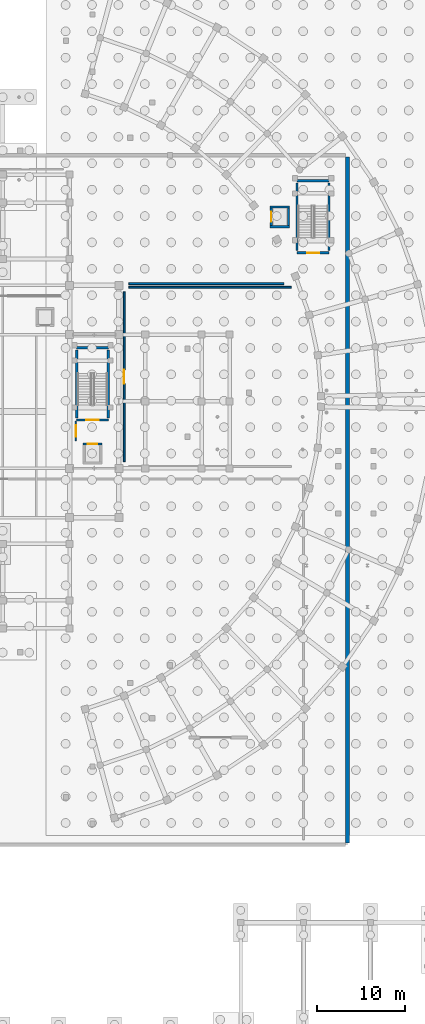
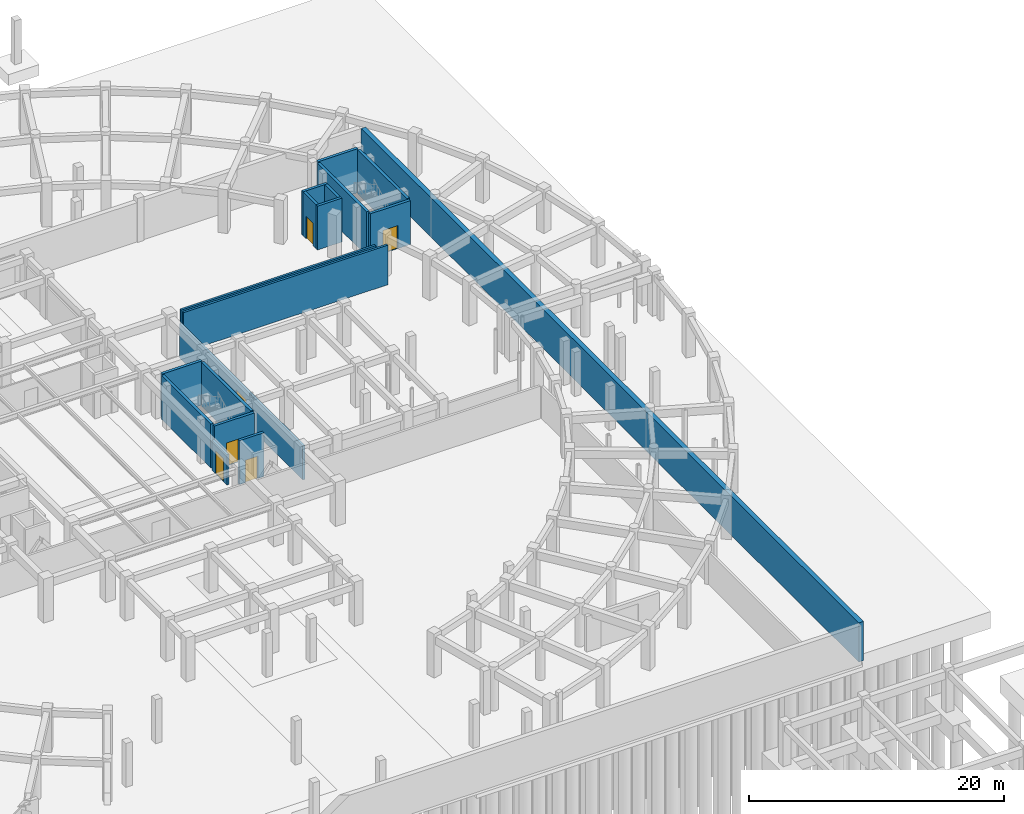
# One storey, part 27 of 33: 18 walls, 6 doors, 6 openings.
"""IFC4 building model written with IfcOpenShell, lengths in metres."""

from ifc_helpers import new_model, si_unit, direction, frame, frame_2d, origin, place, context, subcontext, project, spatial, rectangle, extrude, material, layer, layer_set, type_object, element, fill, save


model = new_model("IFC4")

# Units and contexts
model_context = context("Model", 3, precision=1e-05, world=origin(), true_north=direction((0.0, 1.0)))
body_context = subcontext(model_context, "Body", "Model", "MODEL_VIEW")
ifc_project = project(units=[si_unit("LENGTHUNIT", "METRE"), si_unit("AREAUNIT", "SQUARE_METRE"), si_unit("VOLUMEUNIT", "CUBIC_METRE"), si_unit("PLANEANGLEUNIT", "RADIAN"), si_unit("MASSUNIT", "GRAM", prefix="KILO")], contexts=[model_context])

# Site, building, storey
site_placement = place(None, origin())
site = spatial("IfcSite", under=ifc_project, at=site_placement, CompositionType="ELEMENT")
building_placement = place(site_placement, origin())
building = spatial("IfcBuilding", under=site, at=building_placement, Name="Saryqyr Civic Hall", CompositionType="ELEMENT")
storey_placement = place(building_placement, frame((0.0, 0.0, -4.199951171875)))
storey = spatial("IfcBuildingStorey", under=building, at=storey_placement, Name="B1", CompositionType="ELEMENT", Elevation=-4.199951171875)

# Wall
ifc_material_1 = material(Name="Concrete C35/45", Category="concrete")
ifc_layer_1 = layer(ifc_material_1, 0.419921875, Name="Concrete C35/45")
ifc_layer_set_1 = layer_set([ifc_layer_1], Name="Concrete C35/45")
wall_type_1 = type_object("IfcWallType", Name="ENV-WAL-RET-420", PredefinedType="USERDEFINED", material=ifc_layer_set_1)
wall_1_placement = place(storey_placement, frame((96.199951171875, 111.780029296875, 0.0), z_axis=(0.0, 0.0, 1.0), x_axis=(0.0, -1.0, 0.0)))
element("IfcWall", 1, at=wall_1_placement, inside=storey, type_object=wall_type_1, Name="Basement perimeter retaining wall 2", ObjectType="RETAINING", PredefinedType="USERDEFINED", context=body_context, shape_type="SweptSolid", body=[
    extrude(rectangle(XDim=77.9599609375, YDim=0.419921875, at=frame_2d((38.97998046875, 0.0))), origin(), (0.0, 0.0, 1.0), 3.75),
])

# Wall, opening, door
ifc_material_2 = material(Name="Autoclaved aerated concrete blockwork", Category="masonry")
ifc_layer_2 = layer(ifc_material_2, 0.199951171875, Name="Autoclaved aerated concrete blockwork")
ifc_layer_set_2 = layer_set([ifc_layer_2], Name="Autoclaved aerated concrete blockwork")
wall_type_2 = type_object("IfcWallType", Name="INT-WAL-FIR-200", PredefinedType="PARTITIONING", material=ifc_layer_set_2)
wall_2_placement = place(storey_placement, frame((65.300048828125, 79.5, 0.0), z_axis=(0.0, 0.0, 1.0), x_axis=(0.0, 1.0, 0.0)))
wall_2 = element("IfcWall", 2, at=wall_2_placement, inside=storey, type_object=wall_type_2, Name="Firefighting lift lobby enclosure wall LF-02 B1", PredefinedType="PARTITIONING", context=body_context, shape_type="SweptSolid", body=[
    extrude(rectangle(XDim=2.300048828125, YDim=0.199951171875, at=frame_2d((1.14990234375, 0.0))), origin(), (0.0, 0.0, 1.0), 2.89990234375),
])
opening_1_placement = place(wall_2_placement, frame((0.5, 0.0, 0.0)))
opening_1 = element("IfcOpeningElement", 3, at=opening_1_placement, cuts=wall_2, Name="Opening FD-01", PredefinedType="OPENING", context=body_context, shape_type="SweptSolid", body=[
    extrude(rectangle(XDim=1.300048828125, YDim=2.199951171875, at=frame_2d((0.64990234375, 1.10009765625))), frame((0.0, 0.10986328125, 0.0), z_axis=(0.0, -1.0, 0.0), x_axis=(1.0, 0.0, 0.0)), (0.0, 0.0, 1.0), 0.219970703125),
])
ifc_material_3 = material(Name="Painted galvanized steel", Category="steel")
door_type_1 = type_object("IfcDoorType", Name="INT-DR-FFLOB-1300x2200", OperationType="NOTDEFINED", PredefinedType="DOOR", material=ifc_material_3)
door_1_placement = place(opening_1_placement, origin())
door_1 = element("IfcDoor", 4, at=door_1_placement, inside=storey, type_object=door_type_1, Name="Firefighting lift lobby smoke-control door LF-02 B1", OperationType="SINGLE_SWING_RIGHT", OverallHeight=2.199951171875, OverallWidth=1.300048828125, PredefinedType="DOOR", context=body_context, shape_type="SweptSolid", body=[
    extrude(rectangle(XDim=1.300048828125, YDim=2.199951171875, at=frame_2d((0.64990234375, 1.10009765625))), frame((0.0, 0.02490234375, 0.0), z_axis=(0.0, -1.0, 0.0), x_axis=(1.0, 0.0, 0.0)), (0.0, 0.0, 1.0), 0.050048828125),
])
fill(opening_1, door_1)

wall_3_placement = place(storey_placement, frame((70.800048828125, 77.14990234375, 0.0), z_axis=(0.0, 0.0, 1.0), x_axis=(0.0, 1.0, 0.0)))
wall_3 = element("IfcWall", 5, at=wall_3_placement, inside=storey, type_object=wall_type_2, Name="Interior partition PRT-SP-B1-PLANT-DHS-W1", PredefinedType="PARTITIONING", context=body_context, shape_type="SweptSolid", body=[
    extrude(rectangle(XDim=19.300048828125, YDim=0.199951171875, at=frame_2d((9.64990234375, 0.0))), origin(), (0.0, 0.0, 1.0), 3.2548828125),
])
opening_2_placement = place(wall_3_placement, frame((8.85009765625, 0.0, 0.0)))
opening_2 = element("IfcOpeningElement", 6, at=opening_2_placement, cuts=wall_3, Name="Opening FD-02", PredefinedType="OPENING", context=body_context, shape_type="SweptSolid", body=[
    extrude(rectangle(XDim=1.60009765625, YDim=2.300048828125, at=frame_2d((0.800048828125, 1.14990234375))), frame((0.0, 0.10986328125, 0.0), z_axis=(0.0, -1.0, 0.0), x_axis=(1.0, 0.0, 0.0)), (0.0, 0.0, 1.0), 0.219970703125),
])
door_type_2 = type_object("IfcDoorType", Name="INT-DR-PLANT-1600x2300", OperationType="NOTDEFINED", PredefinedType="DOOR", material=ifc_material_3)
door_2_placement = place(opening_2_placement, origin())
door_2 = element("IfcDoor", 7, at=door_2_placement, inside=storey, type_object=door_type_2, Name="Interior door District Heating Substation and Chiller Plant", OperationType="DOUBLE_DOOR_SINGLE_SWING", OverallHeight=2.300048828125, OverallWidth=1.60009765625, PredefinedType="DOOR", context=body_context, shape_type="SweptSolid", body=[
    extrude(rectangle(XDim=1.60009765625, YDim=2.300048828125, at=frame_2d((0.800048828125, 1.14990234375))), frame((0.0, 0.02490234375, 0.0), z_axis=(0.0, -1.0, 0.0), x_axis=(1.0, 0.0, 0.0)), (0.0, 0.0, 1.0), 0.050048828125),
])
fill(opening_2, door_2)

# Walls
wall_4_placement = place(storey_placement, frame((71.35009765625, 97.0, 0.0), z_axis=(0.0, 0.0, 1.0), x_axis=(1.0, 0.0, 0.0)))
element("IfcWall", 8, at=wall_4_placement, inside=storey, type_object=wall_type_2, Name="Interior partition PRT-SP-B1-PLANT-DHS-W3", PredefinedType="PARTITIONING", context=body_context, shape_type="SweptSolid", body=[
    extrude(rectangle(XDim=18.469970703125, YDim=0.199951171875, at=frame_2d((9.23486328125, 0.0))), origin(), (0.0, 0.0, 1.0), 3.7900390625),
])
wall_5_placement = place(storey_placement, frame((88.949951171875, 97.39990234375, 0.0), z_axis=(0.0, 0.0, 1.0), x_axis=(-1.0, 0.0, 0.0)))
element("IfcWall", 9, at=wall_5_placement, inside=storey, type_object=wall_type_2, Name="Interior partition PRT-SP-B1-PLANT-SUB-W1", PredefinedType="PARTITIONING", context=body_context, shape_type="SweptSolid", body=[
    extrude(rectangle(XDim=17.599853515625, YDim=0.199951171875, at=frame_2d((8.7998046875, 0.0))), origin(), (0.0, 0.0, 1.0), 3.7900390625),
])

# Wall, opening, door
ifc_material_4 = material(Name="Concrete C40/50", Category="concrete")
ifc_layer_3 = layer(ifc_material_4, 0.239990234375, Name="Concrete C40/50")
ifc_layer_set_3 = layer_set([ifc_layer_3], Name="Concrete C40/50")
wall_type_3 = type_object("IfcWallType", Name="INT-WAL-SHR-240", PredefinedType="SHEAR", material=ifc_layer_set_3)
wall_6_placement = place(storey_placement, frame((66.10009765625, 79.179931640625, 0.0), z_axis=(0.0, 0.0, 1.0), x_axis=(1.0, 0.0, 0.0)))
wall_6 = element("IfcWall", 10, at=wall_6_placement, inside=storey, type_object=wall_type_3, Name="Lift shaft shear wall LF-02-SHW-N-B1", PredefinedType="SHEAR", context=body_context, shape_type="SweptSolid", body=[
    extrude(rectangle(XDim=2.199951171875, YDim=0.239990234375, at=frame_2d((1.10009765625, 0.0))), origin(), (0.0, 0.0, 1.0), 4.199951171875),
])
opening_3_placement = place(wall_6_placement, frame((0.550048828125, 0.0, 0.0)))
opening_3 = element("IfcOpeningElement", 11, at=opening_3_placement, cuts=wall_6, Name="Opening LD-01", PredefinedType="OPENING", context=body_context, shape_type="SweptSolid", body=[
    extrude(rectangle(XDim=1.10009765625, YDim=2.14990234375, at=frame_2d((0.550048828125, 1.074951171875))), frame((0.0, 0.1298828125, 0.0), z_axis=(0.0, -1.0, 0.0), x_axis=(1.0, 0.0, 0.0)), (0.0, 0.0, 1.0), 0.260009765625),
])
ifc_material_5 = material(Name="Brushed stainless steel", Category="steel")
door_type_3 = type_object("IfcDoorType", Name="INT-DR-LD-1100x2150", OperationType="NOTDEFINED", PredefinedType="DOOR", material=ifc_material_5)
door_3_placement = place(opening_3_placement, origin())
door_3 = element("IfcDoor", 12, at=door_3_placement, inside=storey, type_object=door_type_3, Name="Lift sliding landing door LF-02 B1", OperationType="SLIDING_TO_RIGHT", OverallHeight=2.14990234375, OverallWidth=1.10009765625, PredefinedType="DOOR", context=body_context, shape_type="SweptSolid", body=[
    extrude(rectangle(XDim=1.10009765625, YDim=2.14990234375, at=frame_2d((0.550048828125, 1.074951171875))), frame((0.0, 0.02490234375, 0.0), z_axis=(0.0, -1.0, 0.0), x_axis=(1.0, 0.0, 0.0)), (0.0, 0.0, 1.0), 0.050048828125),
])
fill(opening_3, door_3)

# Walls
wall_7_placement = place(storey_placement, frame((89.60009765625, 103.8701171875, 0.0), z_axis=(0.0, 0.0, 1.0), x_axis=(-1.0, 0.0, 0.0)))
element("IfcWall", 13, at=wall_7_placement, inside=storey, type_object=wall_type_3, Name="Lift shaft shear wall LF-08-SHW-S-B1", PredefinedType="SHEAR", context=body_context, shape_type="SweptSolid", body=[
    extrude(rectangle(XDim=2.2001953125, YDim=0.239990234375, at=frame_2d((1.10009765625, 0.0))), origin(), (0.0, 0.0, 1.0), 4.199951171875),
])
wall_8_placement = place(storey_placement, frame((89.47998046875, 106.010009765625, 0.0), z_axis=(0.0, 0.0, 1.0), x_axis=(0.0, -1.0, 0.0)))
element("IfcWall", 14, at=wall_8_placement, inside=storey, type_object=wall_type_3, Name="Lift shaft shear wall LF-08-SHW-E-B1", PredefinedType="SHEAR", context=body_context, shape_type="SweptSolid", body=[
    extrude(rectangle(XDim=2.02001953125, YDim=0.239990234375, at=frame_2d((1.010009765625, 0.0))), origin(), (0.0, 0.0, 1.0), 4.199951171875),
])
wall_9_placement = place(storey_placement, frame((87.39990234375, 106.1298828125, 0.0), z_axis=(0.0, 0.0, 1.0), x_axis=(1.0, 0.0, 0.0)))
element("IfcWall", 15, at=wall_9_placement, inside=storey, type_object=wall_type_3, Name="Lift shaft shear wall LF-08-SHW-N-B1", PredefinedType="SHEAR", context=body_context, shape_type="SweptSolid", body=[
    extrude(rectangle(XDim=2.2001953125, YDim=0.239990234375, at=frame_2d((1.10009765625, 0.0))), origin(), (0.0, 0.0, 1.0), 4.199951171875),
])

# Wall, opening, door
wall_10_placement = place(storey_placement, frame((87.52001953125, 103.989990234375, 0.0), z_axis=(0.0, 0.0, 1.0), x_axis=(0.0, 1.0, 0.0)))
wall_10 = element("IfcWall", 16, at=wall_10_placement, inside=storey, type_object=wall_type_3, Name="Lift shaft shear wall LF-08-SHW-W-B1", PredefinedType="SHEAR", context=body_context, shape_type="SweptSolid", body=[
    extrude(rectangle(XDim=2.02001953125, YDim=0.239990234375, at=frame_2d((1.010009765625, 0.0))), origin(), (0.0, 0.0, 1.0), 4.199951171875),
])
opening_4_placement = place(wall_10_placement, frame((0.4599609375, 0.0, 0.0)))
opening_4 = element("IfcOpeningElement", 17, at=opening_4_placement, cuts=wall_10, Name="Opening LD-01", PredefinedType="OPENING", context=body_context, shape_type="SweptSolid", body=[
    extrude(rectangle(XDim=1.10009765625, YDim=2.14990234375, at=frame_2d((0.550048828125, 1.074951171875))), frame((0.0, 0.1298828125, 0.0), z_axis=(0.0, -1.0, 0.0), x_axis=(1.0, 0.0, 0.0)), (0.0, 0.0, 1.0), 0.260009765625),
])
door_4_placement = place(opening_4_placement, origin())
door_4 = element("IfcDoor", 18, at=door_4_placement, inside=storey, type_object=door_type_3, Name="Lift sliding landing door LF-08 B1", OperationType="SLIDING_TO_RIGHT", OverallHeight=2.14990234375, OverallWidth=1.10009765625, PredefinedType="DOOR", context=body_context, shape_type="SweptSolid", body=[
    extrude(rectangle(XDim=1.10009765625, YDim=2.14990234375, at=frame_2d((0.550048828125, 1.074951171875))), frame((0.0, 0.02490234375, 0.0), z_axis=(0.0, -1.0, 0.0), x_axis=(1.0, 0.0, 0.0)), (0.0, 0.0, 1.0), 0.050048828125),
])
fill(opening_4, door_4)

ifc_layer_4 = layer(ifc_material_4, 0.25, Name="Concrete C40/50")
ifc_layer_set_4 = layer_set([ifc_layer_4], Name="Concrete C40/50")
wall_type_4 = type_object("IfcWallType", Name="INT-WAL-SHR-250", PredefinedType="SHEAR", material=ifc_layer_set_4)
wall_11_placement = place(storey_placement, frame((69.0, 81.89990234375, 0.0), z_axis=(0.0, 0.0, 1.0), x_axis=(-1.0, 0.0, 0.0)))
wall_11 = element("IfcWall", 19, at=wall_11_placement, inside=storey, type_object=wall_type_4, Name="Protected stair shaft wall ST-2-SW1-B1", PredefinedType="SHEAR", context=body_context, shape_type="SweptSolid", body=[
    extrude(rectangle(XDim=3.60009765625, YDim=0.25, at=frame_2d((1.800048828125, 0.0))), origin(), (0.0, 0.0, 1.0), 4.199951171875),
])
opening_5_placement = place(wall_11_placement, frame((1.074951171875, 0.0, 0.0)))
opening_5 = element("IfcOpeningElement", 20, at=opening_5_placement, cuts=wall_11, Name="Opening SD-02", PredefinedType="OPENING", context=body_context, shape_type="SweptSolid", body=[
    extrude(rectangle(XDim=1.449951171875, YDim=2.199951171875, at=frame_2d((0.72509765625, 1.10009765625))), frame((0.0, 0.135009765625, 0.0), z_axis=(0.0, -1.0, 0.0), x_axis=(1.0, 0.0, 0.0)), (0.0, 0.0, 1.0), 0.27001953125),
])
door_type_4 = type_object("IfcDoorType", Name="INT-DR-STAIR-1450x2200", OperationType="NOTDEFINED", PredefinedType="DOOR", material=ifc_material_3)
door_5_placement = place(opening_5_placement, origin())
door_5 = element("IfcDoor", 21, at=door_5_placement, inside=storey, type_object=door_type_4, Name="Exit stair landing fire door ST-2-B1", OperationType="SINGLE_SWING_RIGHT", OverallHeight=2.199951171875, OverallWidth=1.449951171875, PredefinedType="DOOR", context=body_context, shape_type="SweptSolid", body=[
    extrude(rectangle(XDim=1.449951171875, YDim=2.199951171875, at=frame_2d((0.72509765625, 1.10009765625))), frame((0.0, 0.02490234375, 0.0), z_axis=(0.0, -1.0, 0.0), x_axis=(1.0, 0.0, 0.0)), (0.0, 0.0, 1.0), 0.050048828125),
])
fill(opening_5, door_5)

# Walls
wall_12_placement = place(storey_placement, frame((65.39990234375, 82.14990234375, 0.0), z_axis=(0.0, 0.0, 1.0), x_axis=(0.0, 1.0, 0.0)))
element("IfcWall", 22, at=wall_12_placement, inside=storey, type_object=wall_type_4, Name="Protected stair shaft wall ST-2-SW2-B1", PredefinedType="SHEAR", context=body_context, shape_type="SweptSolid", body=[
    extrude(rectangle(XDim=7.7001953125, YDim=0.25, at=frame_2d((3.85009765625, 0.0))), origin(), (0.0, 0.0, 1.0), 4.199951171875),
])
wall_13_placement = place(storey_placement, frame((65.39990234375, 90.10009765625, 0.0), z_axis=(0.0, 0.0, 1.0), x_axis=(1.0, 0.0, 0.0)))
element("IfcWall", 23, at=wall_13_placement, inside=storey, type_object=wall_type_4, Name="Protected stair shaft wall ST-2-SW3-B1", PredefinedType="SHEAR", context=body_context, shape_type="SweptSolid", body=[
    extrude(rectangle(XDim=3.60009765625, YDim=0.25, at=frame_2d((1.800048828125, 0.0))), origin(), (0.0, 0.0, 1.0), 4.199951171875),
])
wall_14_placement = place(storey_placement, frame((69.0, 89.85009765625, 0.0), z_axis=(0.0, 0.0, 1.0), x_axis=(0.0, -1.0, 0.0)))
element("IfcWall", 24, at=wall_14_placement, inside=storey, type_object=wall_type_4, Name="Protected stair shaft wall ST-2-SW4-B1", PredefinedType="SHEAR", context=body_context, shape_type="SweptSolid", body=[
    extrude(rectangle(XDim=7.7001953125, YDim=0.25, at=frame_2d((3.85009765625, 0.0))), origin(), (0.0, 0.0, 1.0), 4.199951171875),
])

# Wall, opening, door
wall_15_placement = place(storey_placement, frame((94.10009765625, 100.89990234375, 0.0), z_axis=(0.0, 0.0, 1.0), x_axis=(-1.0, 0.0, 0.0)))
wall_15 = element("IfcWall", 25, at=wall_15_placement, inside=storey, type_object=wall_type_4, Name="Protected stair shaft wall ST-6-SW1-B1", PredefinedType="SHEAR", context=body_context, shape_type="SweptSolid", body=[
    extrude(rectangle(XDim=3.64013671875, YDim=0.25, at=frame_2d((1.820068359375, 0.0))), origin(), (0.0, 0.0, 1.0), 4.199951171875),
])
opening_6_placement = place(wall_15_placement, frame((1.14501953125, 0.0, 0.0)))
opening_6 = element("IfcOpeningElement", 26, at=opening_6_placement, cuts=wall_15, Name="Opening SD-01", PredefinedType="OPENING", context=body_context, shape_type="SweptSolid", body=[
    extrude(rectangle(XDim=1.35009765625, YDim=2.199951171875, at=frame_2d((0.675048828125, 1.10009765625))), frame((0.0, 0.135009765625, 0.0), z_axis=(0.0, -1.0, 0.0), x_axis=(1.0, 0.0, 0.0)), (0.0, 0.0, 1.0), 0.27001953125),
])
door_type_5 = type_object("IfcDoorType", Name="INT-DR-STAIR-1350x2200", OperationType="NOTDEFINED", PredefinedType="DOOR", material=ifc_material_3)
door_6_placement = place(opening_6_placement, origin())
door_6 = element("IfcDoor", 27, at=door_6_placement, inside=storey, type_object=door_type_5, Name="Exit stair landing fire door ST-6-B1", OperationType="SINGLE_SWING_LEFT", OverallHeight=2.199951171875, OverallWidth=1.35009765625, PredefinedType="DOOR", context=body_context, shape_type="SweptSolid", body=[
    extrude(rectangle(XDim=1.35009765625, YDim=2.199951171875, at=frame_2d((0.675048828125, 1.10009765625))), frame((0.0, 0.02490234375, 0.0), z_axis=(0.0, -1.0, 0.0), x_axis=(1.0, 0.0, 0.0)), (0.0, 0.0, 1.0), 0.050048828125),
])
fill(opening_6, door_6)

# Walls
wall_16_placement = place(storey_placement, frame((90.4599609375, 101.14990234375, 0.0), z_axis=(0.0, 0.0, 1.0), x_axis=(0.0, 1.0, 0.0)))
element("IfcWall", 28, at=wall_16_placement, inside=storey, type_object=wall_type_4, Name="Protected stair shaft wall ST-6-SW2-B1", PredefinedType="SHEAR", context=body_context, shape_type="SweptSolid", body=[
    extrude(rectangle(XDim=7.7001953125, YDim=0.25, at=frame_2d((3.85009765625, 0.0))), origin(), (0.0, 0.0, 1.0), 4.199951171875),
])
wall_17_placement = place(storey_placement, frame((90.4599609375, 109.10009765625, 0.0), z_axis=(0.0, 0.0, 1.0), x_axis=(1.0, 0.0, 0.0)))
element("IfcWall", 29, at=wall_17_placement, inside=storey, type_object=wall_type_4, Name="Protected stair shaft wall ST-6-SW3-B1", PredefinedType="SHEAR", context=body_context, shape_type="SweptSolid", body=[
    extrude(rectangle(XDim=3.64013671875, YDim=0.25, at=frame_2d((1.820068359375, 0.0))), origin(), (0.0, 0.0, 1.0), 4.199951171875),
])
wall_18_placement = place(storey_placement, frame((94.10009765625, 108.85009765625, 0.0), z_axis=(0.0, 0.0, 1.0), x_axis=(0.0, -1.0, 0.0)))
element("IfcWall", 30, at=wall_18_placement, inside=storey, type_object=wall_type_4, Name="Protected stair shaft wall ST-6-SW4-B1", PredefinedType="SHEAR", context=body_context, shape_type="SweptSolid", body=[
    extrude(rectangle(XDim=7.7001953125, YDim=0.25, at=frame_2d((3.85009765625, 0.0))), origin(), (0.0, 0.0, 1.0), 4.199951171875),
])

save(model, "model.ifc")
